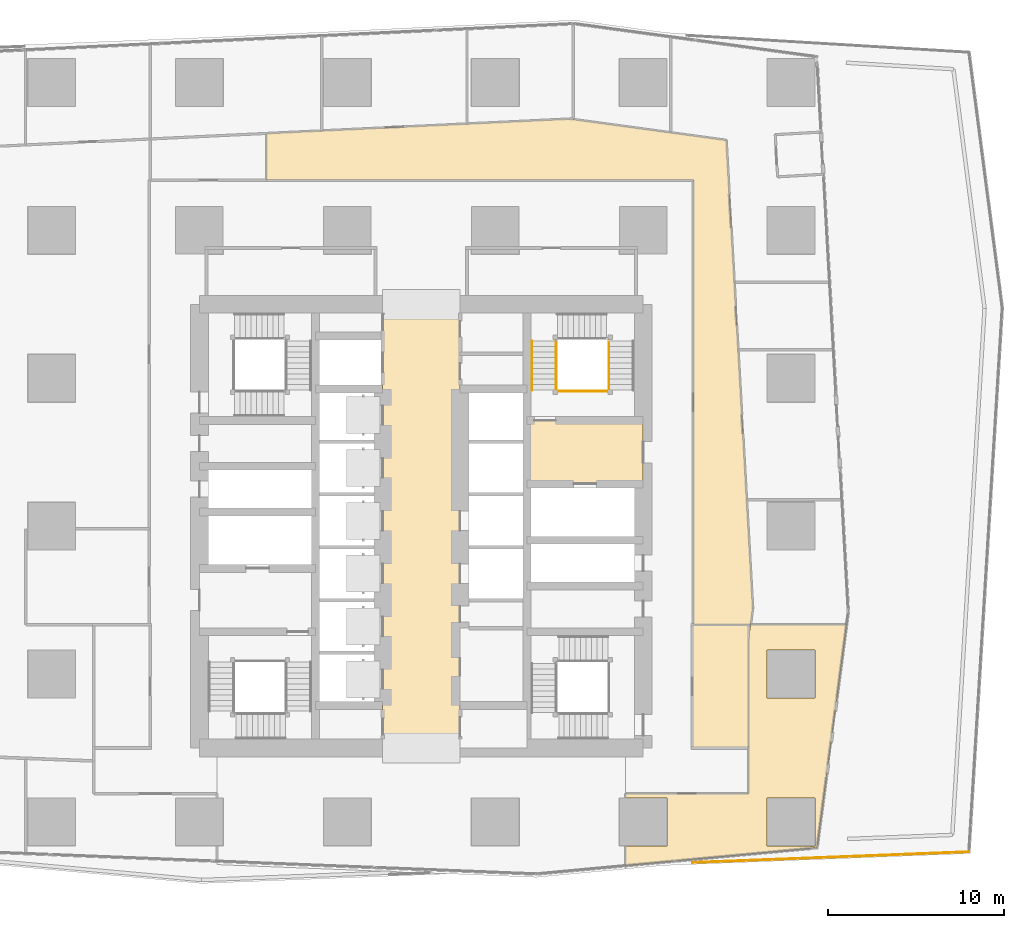
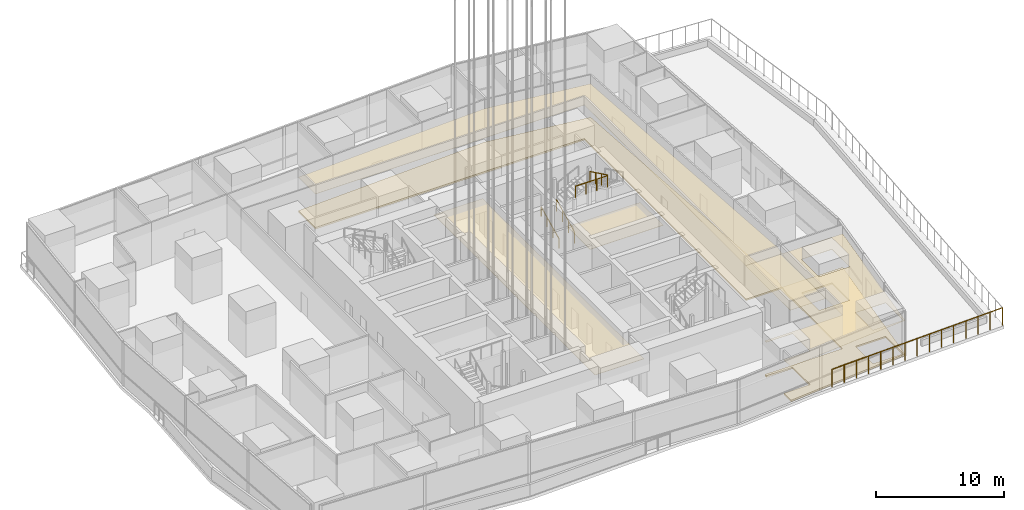
# One storey, part 24 of 39: 7 coverings, 5 railings.
"""IFC4 building model written with IfcOpenShell, lengths in metres."""

from ifc_helpers import new_model, si_unit, direction, frame, origin, origin_2d, place, context, subcontext, project, spatial, polyline, circle, outline, extrude, material, layer, layer_set, type_object, element, save


model = new_model("IFC4")

# Units and contexts
model_context = context("Model", 3, precision=1e-05, world=origin(), true_north=direction((0.0, 1.0)))
body_context = subcontext(model_context, "Body", "Model", "MODEL_VIEW")
ifc_project = project(units=[si_unit("LENGTHUNIT", "METRE"), si_unit("AREAUNIT", "SQUARE_METRE"), si_unit("VOLUMEUNIT", "CUBIC_METRE"), si_unit("PLANEANGLEUNIT", "RADIAN"), si_unit("MASSUNIT", "GRAM", prefix="KILO")], contexts=[model_context])

# Site, building, storey
site_placement = place(None, origin())
site = spatial("IfcSite", under=ifc_project, at=site_placement, CompositionType="ELEMENT")
building_placement = place(site_placement, origin())
building = spatial("IfcBuilding", under=site, at=building_placement, Name="Rekha Terrace Tower", CompositionType="ELEMENT")
storey_placement = place(building_placement, frame((0.0, 0.0, 168.199951171875)))
storey = spatial("IfcBuildingStorey", under=building, at=storey_placement, Name="L42", CompositionType="ELEMENT", Elevation=168.199951171875)

# Coverings
ifc_material_1 = material(Name="Mineral fibre tile in exposed grid", Category="finish")
ifc_layer_1 = layer(ifc_material_1, 0.02001953125)
ifc_layer_set_1 = layer_set([ifc_layer_1], Name="Mineral fibre tile in exposed grid")
covering_type_1 = type_object("IfcCoveringType", Name="CL1 600x1200 office grid ceiling", PredefinedType="CEILING", material=ifc_layer_set_1)
covering_1_placement = place(storey_placement, frame((0.0, 0.0, 3.330078125)))
element("IfcCovering", 1, at=covering_1_placement, inside=storey, type_object=covering_type_1, Name="Ceiling L42-05", PredefinedType="CEILING", context=body_context, shape_type="SweptSolid", body=[
    extrude(outline(polyline([(56.5029296875, 28.0), (56.39990234375, 27.222900390625), (56.39990234375, 18.39990234375), (49.39990234375, 18.39990234375), (49.39990234375, 18.1650390625), (51.764892578125, 18.1650390625), (51.764892578125, 15.43505859375), (49.39990234375, 15.43505859375), (49.39990234375, 14.322021484375), (60.27294921875, 15.333984375), (61.373046875, 23.64306640625), (61.949951171875, 28.0), (56.5029296875, 28.0)]), holes=[polyline([(60.1650390625, 15.43505859375), (57.43505859375, 15.43505859375), (57.43505859375, 18.1650390625), (60.1650390625, 18.1650390625), (60.1650390625, 15.43505859375)]), polyline([(60.1650390625, 23.8349609375), (57.43505859375, 23.8349609375), (57.43505859375, 26.56494140625), (60.1650390625, 26.56494140625), (60.1650390625, 23.8349609375)])]), origin(), (0.0, 0.0, 1.0), 0.02001953125),
])
covering_2_placement = place(storey_placement, frame((0.0, 0.0, 3.330078125)))
element("IfcCovering", 2, at=covering_2_placement, inside=storey, type_object=covering_type_1, Name="Ceiling L42-O2", PredefinedType="CEILING", context=body_context, shape_type="SweptSolid", body=[
    extrude(outline(polyline([(40.385009765625, 56.450927734375), (32.15087890625, 56.05810546875), (29.001953125, 55.907958984375), (29.001953125, 53.25), (53.25, 53.25), (53.25, 28.0009765625), (56.5029296875, 28.0009765625), (56.62890625, 28.950927734375), (56.278076171875, 35.1220703125), (55.794921875, 43.635009765625), (55.577880859375, 47.467041015625), (55.12109375, 55.52294921875), (51.97509765625, 55.950927734375), (46.43408203125, 56.705078125), (46.241943359375, 56.73193359375), (40.385009765625, 56.450927734375)])), origin(), (0.0, 0.0, 1.0), 0.02001953125),
])
ifc_material_2 = material(Name="Fibre cement board", Category="finish")
ifc_layer_2 = layer(ifc_material_2, 0.014892578125)
ifc_layer_set_2 = layer_set([ifc_layer_2], Name="Fibre cement board")
covering_type_2 = type_object("IfcCoveringType", Name="CL2 moisture-resistant board ceiling", PredefinedType="CEILING", material=ifc_layer_set_2)
covering_3_placement = place(storey_placement, frame((0.0, 0.0, 3.3349609375)))
element("IfcCovering", 3, at=covering_3_placement, inside=storey, type_object=covering_type_2, Name="Ceiling L42-WCM2", PredefinedType="CEILING", context=body_context, shape_type="SweptSolid", body=[
    extrude(outline(polyline([(56.39990234375, 28.0), (53.199951171875, 28.0), (53.199951171875, 21.0), (56.39990234375, 21.0), (56.39990234375, 28.0)])), origin(), (0.0, 0.0, 1.0), 0.01513671875),
])
ifc_material_3 = material(Name="Powder-coated aluminium pan", Category="aluminium")
ifc_layer_3 = layer(ifc_material_3, 0.030029296875)
ifc_layer_set_3 = layer_set([ifc_layer_3], Name="Powder-coated aluminium pan")
covering_type_3 = type_object("IfcCoveringType", Name="CL3 300x1200 metal pan ceiling", PredefinedType="CEILING", material=ifc_layer_set_3)
covering_4_placement = place(storey_placement, frame((0.0, 0.0, 3.320068359375)))
element("IfcCovering", 4, at=covering_4_placement, inside=storey, type_object=covering_type_3, Name="Ceiling L42-LOBBY", PredefinedType="CEILING", context=body_context, shape_type="SweptSolid", body=[
    extrude(outline(polyline([(40.0, 46.199951171875), (35.60009765625, 46.199951171875), (35.60009765625, 21.0), (40.0, 21.0), (40.0, 46.199951171875)])), origin(), (0.0, 0.0, 1.0), 0.030029296875),
])
covering_5_placement = place(storey_placement, frame((0.0, 0.0, 3.320068359375)))
element("IfcCovering", 5, at=covering_5_placement, inside=storey, type_object=covering_type_3, Name="Ceiling L42-FLB2", PredefinedType="CEILING", context=body_context, shape_type="SweptSolid", body=[
    extrude(outline(polyline([(50.39990234375, 39.60009765625), (43.800048828125, 39.60009765625), (43.800048828125, 36.0), (50.39990234375, 36.0), (50.39990234375, 39.60009765625)])), origin(), (0.0, 0.0, 1.0), 0.030029296875),
])

# Railings
ifc_material_4 = material(Name="Stainless steel balustrade", Category="steel")
railing_type_1 = type_object("IfcRailingType", Name="GR1 1100 stair guard", PredefinedType="GUARDRAIL", material=ifc_material_4)
railing_1_placement = place(storey_placement, frame((45.465087890625, 41.324951171875, 0.150146484375)))
element("IfcRailing", 6, at=railing_1_placement, inside=storey, type_object=railing_type_1, Name="Guard ST2 L42 flight 1", PredefinedType="GUARDRAIL", context=body_context, shape_type="SweptSolid", body=[
    extrude(circle(Radius=0.02392578125, at=origin_2d()), frame((0.0, 0.0, 1.076171875), z_axis=(0.0, 0.900180171504, 0.435517690606), x_axis=(-1.0, 0.0, 0.0)), (0.0, 0.0, 1.0), 3.099365234375),
    extrude(circle(Radius=0.02099609375, at=origin_2d()), origin(), (0.0, 0.0, 1.0), 1.052001953125),
    extrude(circle(Radius=0.02099609375, at=origin_2d()), frame((0.0, 0.929931640625, 0.449951171875)), (0.0, 0.0, 1.0), 1.052001953125),
    extrude(circle(Radius=0.02099609375, at=origin_2d()), frame((0.0, 1.860107421875, 0.89990234375)), (0.0, 0.0, 1.0), 1.052001953125),
    extrude(circle(Radius=0.02099609375, at=origin_2d()), frame((0.0, 2.7900390625, 1.349853515625)), (0.0, 0.0, 1.0), 1.052001953125),
])
railing_2_placement = place(storey_placement, frame((48.4599609375, 44.114990234375, 3.150146484375)))
element("IfcRailing", 7, at=railing_2_placement, inside=storey, type_object=railing_type_1, Name="Guard ST2 L42 flight 3", PredefinedType="GUARDRAIL", context=body_context, shape_type="SweptSolid", body=[
    extrude(circle(Radius=0.02392578125, at=origin_2d()), frame((0.0, 0.0, 1.076171875), z_axis=(0.0, -0.900180171504, 0.435517690606), x_axis=(1.0, 0.0, 0.0)), (0.0, 0.0, 1.0), 3.099365234375),
    extrude(circle(Radius=0.02099609375, at=origin_2d()), origin(), (0.0, 0.0, 1.0), 1.052001953125),
    extrude(circle(Radius=0.02099609375, at=origin_2d()), frame((0.0, -0.929931640625, 0.449951171875)), (0.0, 0.0, 1.0), 1.052001953125),
    extrude(circle(Radius=0.02099609375, at=origin_2d()), frame((0.0, -1.860107421875, 0.89990234375)), (0.0, 0.0, 1.0), 1.052001953125),
    extrude(circle(Radius=0.02099609375, at=origin_2d()), frame((0.0, -2.7900390625, 1.349853515625)), (0.0, 0.0, 1.0), 1.052001953125),
])
railing_3_placement = place(storey_placement, frame((45.52490234375, 41.264892578125, 4.5)))
element("IfcRailing", 8, at=railing_3_placement, inside=storey, type_object=railing_type_1, Name="Guard ST2 L42 landing 4", PredefinedType="GUARDRAIL", context=body_context, shape_type="SweptSolid", body=[
    extrude(circle(Radius=0.02392578125, at=origin_2d()), frame((0.0, 0.0, 1.076171875), z_axis=(1.0, 0.0, 0.0), x_axis=(0.0, 1.0, 0.0)), (0.0, 0.0, 1.0), 2.875),
    extrude(circle(Radius=0.02099609375, at=origin_2d()), origin(), (0.0, 0.0, 1.0), 1.052001953125),
    extrude(circle(Radius=0.02099609375, at=origin_2d()), frame((0.958251953125, 0.0, 0.0)), (0.0, 0.0, 1.0), 1.052001953125),
    extrude(circle(Radius=0.02099609375, at=origin_2d()), frame((1.916748046875, 0.0, 0.0)), (0.0, 0.0, 1.0), 1.052001953125),
    extrude(circle(Radius=0.02099609375, at=origin_2d()), frame((2.875, 0.0, 0.0)), (0.0, 0.0, 1.0), 1.052001953125),
])
ifc_material_5 = material(Name="Stainless steel posts and laminated glass infill", Category="steel")
railing_type_2 = type_object("IfcRailingType", Name="GR4 terrace glass guard 1700", PredefinedType="GUARDRAIL", material=ifc_material_5)
railing_4_placement = place(storey_placement, frame((53.202880859375, 14.4853515625, 0.0)))
element("IfcRailing", 9, at=railing_4_placement, inside=storey, type_object=railing_type_2, Name="Terrace guard", PredefinedType="GUARDRAIL", context=body_context, shape_type="SweptSolid", body=[
    extrude(circle(Radius=0.02392578125, at=origin_2d()), frame((0.0, 0.0, 1.67578125), z_axis=(0.999243654541, 0.038885972532, 0.0), x_axis=(-0.038885972532, 0.999243654541, 0.0)), (0.0, 0.0, 1.0), 15.71484375),
    extrude(circle(Radius=0.02099609375, at=origin_2d()), origin(), (0.0, 0.0, 1.0), 1.65185546875),
    extrude(circle(Radius=0.02099609375, at=origin_2d()), frame((1.12158203125, 0.043701171875, 0.0)), (0.0, 0.0, 1.0), 1.65185546875),
    extrude(circle(Radius=0.02099609375, at=origin_2d()), frame((2.2431640625, 0.08740234375, 0.0)), (0.0, 0.0, 1.0), 1.65185546875),
    extrude(circle(Radius=0.02099609375, at=origin_2d()), frame((3.364990234375, 0.130859375, 0.0)), (0.0, 0.0, 1.0), 1.65185546875),
    extrude(circle(Radius=0.02099609375, at=origin_2d()), frame((4.486572265625, 0.174560546875, 0.0)), (0.0, 0.0, 1.0), 1.65185546875),
    extrude(circle(Radius=0.02099609375, at=origin_2d()), frame((5.608154296875, 0.21826171875, 0.0)), (0.0, 0.0, 1.0), 1.65185546875),
    extrude(circle(Radius=0.02099609375, at=origin_2d()), frame((6.729736328125, 0.261962890625, 0.0)), (0.0, 0.0, 1.0), 1.65185546875),
    extrude(circle(Radius=0.02099609375, at=origin_2d()), frame((7.8515625, 0.3056640625, 0.0)), (0.0, 0.0, 1.0), 1.65185546875),
    extrude(circle(Radius=0.02099609375, at=origin_2d()), frame((8.97314453125, 0.34912109375, 0.0)), (0.0, 0.0, 1.0), 1.65185546875),
    extrude(circle(Radius=0.02099609375, at=origin_2d()), frame((10.0947265625, 0.392822265625, 0.0)), (0.0, 0.0, 1.0), 1.65185546875),
    extrude(circle(Radius=0.02099609375, at=origin_2d()), frame((11.21630859375, 0.4365234375, 0.0)), (0.0, 0.0, 1.0), 1.65185546875),
    extrude(circle(Radius=0.02099609375, at=origin_2d()), frame((12.337890625, 0.480224609375, 0.0)), (0.0, 0.0, 1.0), 1.65185546875),
    extrude(circle(Radius=0.02099609375, at=origin_2d()), frame((13.459716796875, 0.523681640625, 0.0)), (0.0, 0.0, 1.0), 1.65185546875),
    extrude(circle(Radius=0.02099609375, at=origin_2d()), frame((14.581298828125, 0.5673828125, 0.0)), (0.0, 0.0, 1.0), 1.65185546875),
    extrude(circle(Radius=0.02099609375, at=origin_2d()), frame((15.702880859375, 0.611083984375, 0.0)), (0.0, 0.0, 1.0), 1.65185546875),
])
ifc_material_6 = material(Name="Stainless steel tube", Category="steel")
railing_type_3 = type_object("IfcRailingType", Name="HR1 900 stair handrail", PredefinedType="HANDRAIL", material=ifc_material_6)
railing_5_placement = place(storey_placement, frame((44.0849609375, 41.324951171875, 0.150146484375)))
element("IfcRailing", 10, at=railing_5_placement, inside=storey, type_object=railing_type_3, Name="Handrail ST2 L42 flight 1", PredefinedType="HANDRAIL", context=body_context, shape_type="SweptSolid", body=[
    extrude(circle(Radius=0.02392578125, at=origin_2d()), frame((0.0, 0.0, 0.8759765625), z_axis=(0.0, 0.900180171504, 0.435517690606), x_axis=(-1.0, 0.0, 0.0)), (0.0, 0.0, 1.0), 3.099365234375),
    extrude(circle(Radius=0.02099609375, at=origin_2d()), origin(), (0.0, 0.0, 1.0), 0.851806640625),
    extrude(circle(Radius=0.02099609375, at=origin_2d()), frame((0.0, 0.929931640625, 0.449951171875)), (0.0, 0.0, 1.0), 0.851806640625),
    extrude(circle(Radius=0.02099609375, at=origin_2d()), frame((0.0, 1.860107421875, 0.89990234375)), (0.0, 0.0, 1.0), 0.851806640625),
    extrude(circle(Radius=0.02099609375, at=origin_2d()), frame((0.0, 2.7900390625, 1.349853515625)), (0.0, 0.0, 1.0), 0.851806640625),
])

# Coverings
ifc_material_7 = material(Name="Calcium sulphate panels on steel pedestals", Category="steel")
ifc_layer_4 = layer(ifc_material_7, 0.14990234375)
ifc_layer_set_4 = layer_set([ifc_layer_4], Name="Calcium sulphate panels on steel pedestals")
covering_type_4 = type_object("IfcCoveringType", Name="RF1 150 raised access floor", PredefinedType="FLOORING", material=ifc_layer_set_4)
covering_6_placement = place(storey_placement, origin())
element("IfcCovering", 11, at=covering_6_placement, inside=storey, type_object=covering_type_4, Name="Raised floor L42-05", PredefinedType="FLOORING", context=body_context, shape_type="SweptSolid", body=[
    extrude(outline(polyline([(56.5029296875, 28.0), (56.39990234375, 27.222900390625), (56.39990234375, 18.39990234375), (49.39990234375, 18.39990234375), (49.39990234375, 18.1650390625), (51.764892578125, 18.1650390625), (51.764892578125, 15.43505859375), (49.39990234375, 15.43505859375), (49.39990234375, 14.322021484375), (60.27294921875, 15.333984375), (61.373046875, 23.64306640625), (61.949951171875, 28.0), (56.5029296875, 28.0)]), holes=[polyline([(60.1650390625, 15.43505859375), (57.43505859375, 15.43505859375), (57.43505859375, 18.1650390625), (60.1650390625, 18.1650390625), (60.1650390625, 15.43505859375)]), polyline([(60.1650390625, 23.8349609375), (57.43505859375, 23.8349609375), (57.43505859375, 26.56494140625), (60.1650390625, 26.56494140625), (60.1650390625, 23.8349609375)])]), origin(), (0.0, 0.0, 1.0), 0.150146484375),
])
covering_7_placement = place(storey_placement, origin())
element("IfcCovering", 12, at=covering_7_placement, inside=storey, type_object=covering_type_4, Name="Raised floor L42-O2", PredefinedType="FLOORING", context=body_context, shape_type="SweptSolid", body=[
    extrude(outline(polyline([(40.385009765625, 56.450927734375), (32.15087890625, 56.05810546875), (29.001953125, 55.907958984375), (29.001953125, 53.25), (53.25, 53.25), (53.25, 28.0009765625), (56.5029296875, 28.0009765625), (56.62890625, 28.950927734375), (56.278076171875, 35.1220703125), (55.794921875, 43.635009765625), (55.577880859375, 47.467041015625), (55.12109375, 55.52294921875), (51.97509765625, 55.950927734375), (46.43408203125, 56.705078125), (46.241943359375, 56.73193359375), (40.385009765625, 56.450927734375)])), origin(), (0.0, 0.0, 1.0), 0.150146484375),
])

save(model, "model.ifc")
